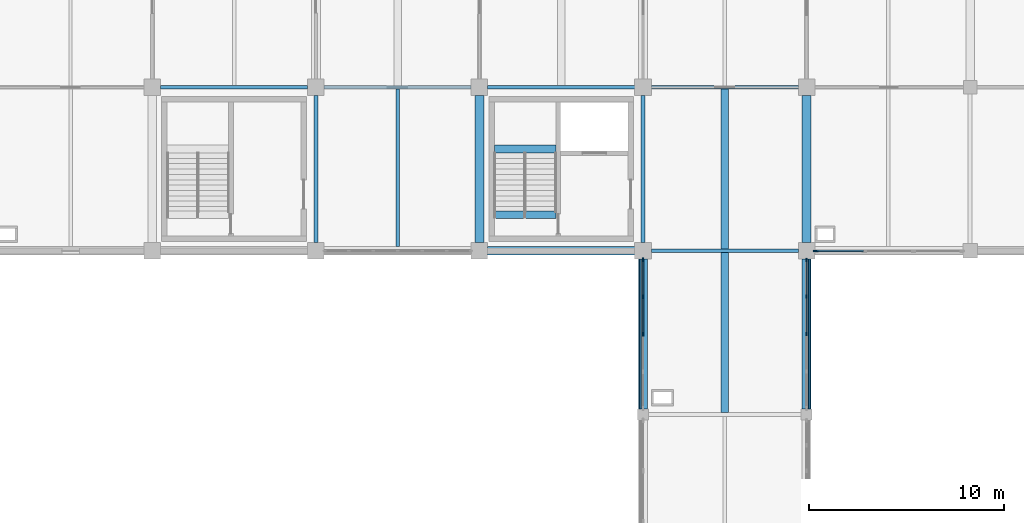
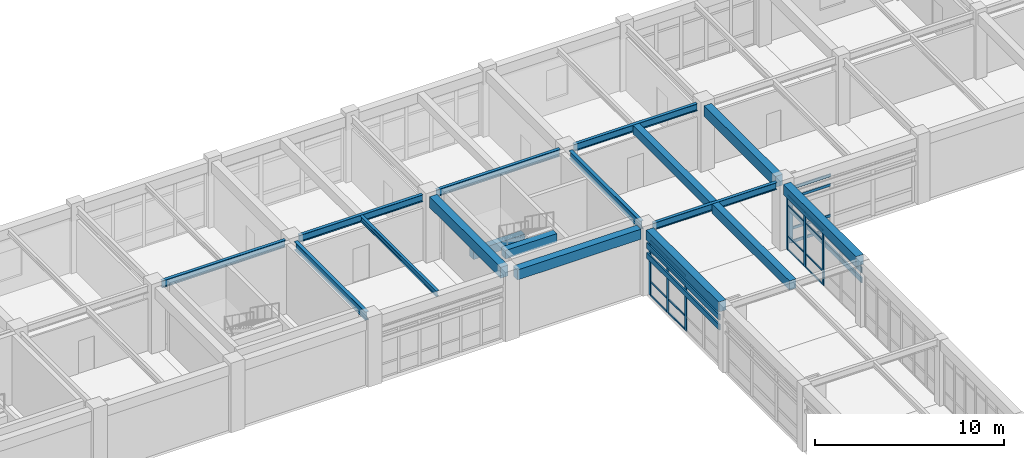
# One storey, part 28 of 78: 31 members, 17 beams, 3 elements without a shape of their own.
"""IFC4 building model written with IfcOpenShell, lengths in metres."""

from ifc_helpers import new_model, si_unit, direction, frame, origin, origin_2d, place, context, subcontext, project, spatial, rectangle, i_section, extrude, material, layer, layer_set, material_profile, profile_set, type_object, element, aggregate, save


model = new_model("IFC4")

# Units and contexts
model_context = context("Model", 3, precision=1e-05, world=origin(), true_north=direction((0.0, 1.0)))
body_context = subcontext(model_context, "Body", "Model", "MODEL_VIEW")
ifc_project = project(units=[si_unit("LENGTHUNIT", "METRE"), si_unit("AREAUNIT", "SQUARE_METRE"), si_unit("VOLUMEUNIT", "CUBIC_METRE"), si_unit("PLANEANGLEUNIT", "RADIAN"), si_unit("MASSUNIT", "GRAM", prefix="KILO")], contexts=[model_context])

# Site, building, storey
site_placement = place(None, origin())
site = spatial("IfcSite", under=ifc_project, at=site_placement, CompositionType="ELEMENT")
building_placement = place(site_placement, origin())
building = spatial("IfcBuilding", under=site, at=building_placement, Name="Porcellanite Civic Hall", CompositionType="ELEMENT")
storey_placement = place(building_placement, frame((0.0, 0.0, 10.260009765625)))
storey = spatial("IfcBuildingStorey", under=building, at=storey_placement, Name="L02", CompositionType="ELEMENT", Elevation=10.260009765625)

# Beams
ifc_material_1 = material(Name="Concrete N50 (50 MPa)", Category="concrete")
ifc_material_profile_1 = material_profile(ifc_material_1, rectangle(XDim=0.39990234375, YDim=0.550048828125, at=origin_2d()), Name="RC-400x550")
ifc_profile_set_1 = profile_set([ifc_material_profile_1], Name="Concrete N50 (50 MPa)")
beam_type_1 = type_object("IfcBeamType", Name="BM-RC550", PredefinedType="JOIST", material=ifc_profile_set_1)
beam_1_placement = place(storey_placement, frame((121.800048828125, 100.89453125, 3.965087890625), z_axis=(0.0, 1.0, 0.0), x_axis=(-1.0, 0.0, 0.0)))
element("IfcBeam", 1, at=beam_1_placement, inside=storey, type_object=beam_type_1, Name="Secondary joist L02 15-13", PredefinedType="JOIST", context=body_context, shape_type="SweptSolid", body=[
    extrude(rectangle(XDim=0.39990234375, YDim=0.550048828125, at=origin_2d()), origin(), (0.0, 0.0, 1.0), 8.2109375),
])
for number, where, z_axis, x_axis, name in (
    (2, (109.96044921875, 106.02490234375, 1.885009765625), (1.0, 0.0, 0.0), (0.0, 1.0, 0.0), "Stair landing beam C4 L02"),
    (3, (109.96044921875, 102.64990234375, 3.965087890625), (1.0, 0.0, 0.0), (0.0, 1.0, 0.0), "Stair header beam C4 L02"),
):
    element("IfcBeam", number, at=place(storey_placement, frame(where, z_axis=z_axis, x_axis=x_axis)), inside=storey, type_object=beam_type_1, Name=name, PredefinedType="JOIST", context=body_context, shape_type="SweptSolid", body=[
        extrude(rectangle(XDim=0.39990234375, YDim=0.550048828125, at=origin_2d()), origin(), (0.0, 0.0, 1.0), 3.158935546875),
    ])
ifc_material_2 = material(Name="Concrete N50 (50 MPa)", Category="concrete")
ifc_material_profile_2 = material_profile(ifc_material_2, rectangle(XDim=0.39990234375, YDim=0.60009765625, at=origin_2d()), Name="RC-400x600")
ifc_profile_set_2 = profile_set([ifc_material_profile_2], Name="Concrete N50 (50 MPa)")
beam_type_2 = type_object("IfcBeamType", Name="BM-RC600", PredefinedType="JOIST", material=ifc_profile_set_2)
beam_2_placement = place(storey_placement, frame((121.800048828125, 92.494384765625, 3.93994140625), z_axis=(0.0, 1.0, 0.0), x_axis=(-1.0, 0.0, 0.0)))
element("IfcBeam", 4, at=beam_2_placement, inside=storey, type_object=beam_type_2, Name="Secondary joist L02 15-12", PredefinedType="JOIST", context=body_context, shape_type="SweptSolid", body=[
    extrude(rectangle(XDim=0.39990234375, YDim=0.60009765625, at=origin_2d()), origin(), (0.0, 0.0, 1.0), 8.211181640625),
])
ifc_material_3 = material(Name="Concrete N50 (50 MPa)", Category="concrete")
ifc_material_profile_3 = material_profile(ifc_material_3, rectangle(XDim=0.449951171875, YDim=0.64990234375, at=origin_2d()), Name="RC-450x650")
ifc_profile_set_3 = profile_set([ifc_material_profile_3], Name="Concrete N50 (50 MPa)")
beam_type_3 = type_object("IfcBeamType", Name="BM-RC650", PredefinedType="SPANDREL", material=ifc_profile_set_3)
beam_3_placement = place(storey_placement, frame((109.62451171875, 100.800048828125, 3.9150390625), z_axis=(1.0, 0.0, 0.0), x_axis=(0.0, 1.0, 0.0)))
element("IfcBeam", 5, at=beam_3_placement, inside=storey, type_object=beam_type_3, Name="Beam X L02 14-13", PredefinedType="SPANDREL", context=body_context, shape_type="SweptSolid", body=[
    extrude(rectangle(XDim=0.449951171875, YDim=0.64990234375, at=origin_2d()), origin(), (0.0, 0.0, 1.0), 7.551025390625),
])
for number, where, z_axis, x_axis, name in (
    (6, (117.60009765625, 92.674560546875, 3.9150390625), (0.0, 1.0, 0.0), (-1.0, 0.0, 0.0), "Beam Y L02 15-12"),
    (7, (126.0, 92.674560546875, 3.9150390625), (0.0, 1.0, 0.0), (-1.0, 0.0, 0.0), "Beam Y L02 16-12"),
):
    element("IfcBeam", number, at=place(storey_placement, frame(where, z_axis=z_axis, x_axis=x_axis)), inside=storey, type_object=beam_type_3, Name=name, PredefinedType="SPANDREL", context=body_context, shape_type="SweptSolid", body=[
        extrude(rectangle(XDim=0.449951171875, YDim=0.64990234375, at=origin_2d()), origin(), (0.0, 0.0, 1.0), 7.700927734375),
    ])
ifc_material_4 = material(Name="Concrete N50 (50 MPa)", Category="concrete")
ifc_material_profile_4 = material_profile(ifc_material_4, rectangle(XDim=0.449951171875, YDim=0.699951171875, at=origin_2d()), Name="RC-450x700")
ifc_profile_set_4 = profile_set([ifc_material_profile_4], Name="Concrete N50 (50 MPa)")
beam_type_4 = type_object("IfcBeamType", Name="BM-RC700", PredefinedType="BEAM", material=ifc_profile_set_4)
for number, where, z_axis, x_axis, name in (
    (8, (109.199951171875, 101.224609375, 3.889892578125), (0.0, 1.0, 0.0), (-1.0, 0.0, 0.0), "Beam Y L02 14-13"),
    (9, (126.0, 101.224609375, 3.889892578125), (0.0, 1.0, 0.0), (-1.0, 0.0, 0.0), "Beam Y L02 16-13"),
):
    element("IfcBeam", number, at=place(storey_placement, frame(where, z_axis=z_axis, x_axis=x_axis)), inside=storey, type_object=beam_type_4, Name=name, PredefinedType="BEAM", context=body_context, shape_type="SweptSolid", body=[
        extrude(rectangle(XDim=0.449951171875, YDim=0.699951171875, at=origin_2d()), origin(), (0.0, 0.0, 1.0), 7.55078125),
    ])

# Curtain wall, member
ifc_material_5 = material(Name="Anodised aluminium and solar laminated glass", Category="aluminium")
ifc_layer_1 = layer(ifc_material_5, 0.179931640625)
ifc_layer_set_1 = layer_set([ifc_layer_1], Name="Anodised aluminium and solar laminated glass")
curtain_wall_type_1 = type_object("IfcCurtainWallType", Name="CW-SYS08", PredefinedType="NOTDEFINED", material=ifc_layer_set_1)
curtain_wall_1_placement = place(storey_placement, origin())
curtain_wall_1 = element("IfcCurtainWall", 10, at=curtain_wall_1_placement, inside=storey, type_object=curtain_wall_type_1, Name="Curtain wall CW-172", PredefinedType="NOTDEFINED")
ifc_material_6 = material(Name="Anodised aluminium 6063-T6", Category="aluminium")
ifc_material_profile_5 = material_profile(ifc_material_6, rectangle(XDim=0.080078125, YDim=0.239990234375, at=origin_2d()), Name="AL-80x240")
ifc_profile_set_5 = profile_set([ifc_material_profile_5], Name="Anodised aluminium 6063-T6")
member_type_1 = type_object("IfcMemberType", Name="CWM-01", PredefinedType="MULLION", material=ifc_profile_set_5)
member_1_placement = place(storey_placement, frame((126.466064453125, 100.800048828125, 0.0), z_axis=(0.0, 0.0, 1.0), x_axis=(0.0, -1.0, 0.0)))
member_1 = element("IfcMember", 11, at=member_1_placement, type_object=member_type_1, Name="CW-172 mullion 4", PredefinedType="MULLION", context=body_context, shape_type="SweptSolid", body=[
    extrude(rectangle(XDim=0.080078125, YDim=0.239990234375, at=origin_2d()), origin(), (0.0, 0.0, 1.0), 3.5400390625),
])

# Curtain wall, members
ifc_material_7 = material(Name="Anodised aluminium and solar laminated glass", Category="aluminium")
ifc_layer_2 = layer(ifc_material_7, 0.179931640625)
ifc_layer_set_2 = layer_set([ifc_layer_2], Name="Anodised aluminium and solar laminated glass")
curtain_wall_type_2 = type_object("IfcCurtainWallType", Name="CW-SYS03", PredefinedType="NOTDEFINED", material=ifc_layer_set_2)
curtain_wall_2_placement = place(storey_placement, origin())
curtain_wall_2 = element("IfcCurtainWall", 12, at=curtain_wall_2_placement, inside=storey, type_object=curtain_wall_type_2, Name="Curtain wall CW-168", PredefinedType="NOTDEFINED")
ifc_material_8 = material(Name="Anodised aluminium 6063-T6", Category="aluminium")
ifc_material_profile_6 = material_profile(ifc_material_8, rectangle(XDim=0.080078125, YDim=0.2099609375, at=origin_2d()), Name="AL-80x210")
ifc_profile_set_6 = profile_set([ifc_material_profile_6], Name="Anodised aluminium 6063-T6")
member_type_2 = type_object("IfcMemberType", Name="CWM-02", PredefinedType="MULLION", material=ifc_profile_set_6)
member_2_placement = place(storey_placement, frame((117.60009765625, 96.52490234375, 0.0), z_axis=(0.0, 0.0, 1.0), x_axis=(-1.0, 0.0, 0.0)))
member_2 = element("IfcMember", 13, at=member_2_placement, type_object=member_type_2, Name="CW-168 mullion 3", PredefinedType="MULLION", context=body_context, shape_type="SweptSolid", body=[
    extrude(rectangle(XDim=0.080078125, YDim=0.2099609375, at=origin_2d()), origin(), (0.0, 0.0, 1.0), 3.5400390625),
])
member_3_placement = place(storey_placement, frame((117.60009765625, 98.449462890625, 0.0), z_axis=(0.0, 0.0, 1.0), x_axis=(-1.0, 0.0, 0.0)))
member_3 = element("IfcMember", 14, at=member_3_placement, type_object=member_type_2, Name="CW-168 mullion 4", PredefinedType="MULLION", context=body_context, shape_type="SweptSolid", body=[
    extrude(rectangle(XDim=0.080078125, YDim=0.2099609375, at=origin_2d()), origin(), (0.0, 0.0, 1.0), 3.5400390625),
])
member_4_placement = place(storey_placement, frame((117.60009765625, 100.333984375, 0.0), z_axis=(0.0, 0.0, 1.0), x_axis=(-1.0, 0.0, 0.0)))
member_4 = element("IfcMember", 15, at=member_4_placement, type_object=member_type_2, Name="CW-168 mullion 5", PredefinedType="MULLION", context=body_context, shape_type="SweptSolid", body=[
    extrude(rectangle(XDim=0.080078125, YDim=0.2099609375, at=origin_2d()), origin(), (0.0, 0.0, 1.0), 3.5400390625),
])

ifc_material_9 = material(Name="Anodised aluminium and solar laminated glass", Category="aluminium")
ifc_layer_3 = layer(ifc_material_9, 0.179931640625)
ifc_layer_set_3 = layer_set([ifc_layer_3], Name="Anodised aluminium and solar laminated glass")
curtain_wall_type_3 = type_object("IfcCurtainWallType", Name="CW-SYS04", PredefinedType="NOTDEFINED", material=ifc_layer_set_3)
curtain_wall_3_placement = place(storey_placement, origin())
curtain_wall_3 = element("IfcCurtainWall", 16, at=curtain_wall_3_placement, inside=storey, type_object=curtain_wall_type_3, Name="Curtain wall CW-169", PredefinedType="NOTDEFINED")
ifc_material_10 = material(Name="Anodised aluminium 6063-T6", Category="aluminium")
ifc_material_profile_7 = material_profile(ifc_material_10, rectangle(XDim=0.074951171875, YDim=0.18994140625, at=origin_2d()), Name="AL-75x190")
ifc_profile_set_7 = profile_set([ifc_material_profile_7], Name="Anodised aluminium 6063-T6")
member_type_3 = type_object("IfcMemberType", Name="CWM-04", PredefinedType="MULLION", material=ifc_profile_set_7)
member_5_placement = place(storey_placement, frame((126.0, 100.33642578125, 0.0), z_axis=(0.0, 0.0, 1.0), x_axis=(1.0, 0.0, 0.0)))
member_5 = element("IfcMember", 17, at=member_5_placement, type_object=member_type_3, Name="CW-169 mullion 1", PredefinedType="MULLION", context=body_context, shape_type="SweptSolid", body=[
    extrude(rectangle(XDim=0.074951171875, YDim=0.18994140625, at=origin_2d()), origin(), (0.0, 0.0, 1.0), 3.5400390625),
])
member_6_placement = place(storey_placement, frame((126.0, 98.449462890625, 0.0), z_axis=(0.0, 0.0, 1.0), x_axis=(1.0, 0.0, 0.0)))
member_6 = element("IfcMember", 18, at=member_6_placement, type_object=member_type_3, Name="CW-169 mullion 2", PredefinedType="MULLION", context=body_context, shape_type="SweptSolid", body=[
    extrude(rectangle(XDim=0.074951171875, YDim=0.18994140625, at=origin_2d()), origin(), (0.0, 0.0, 1.0), 3.5400390625),
])
member_7_placement = place(storey_placement, frame((126.0, 96.52490234375, 0.0), z_axis=(0.0, 0.0, 1.0), x_axis=(1.0, 0.0, 0.0)))
member_7 = element("IfcMember", 19, at=member_7_placement, type_object=member_type_3, Name="CW-169 mullion 3", PredefinedType="MULLION", context=body_context, shape_type="SweptSolid", body=[
    extrude(rectangle(XDim=0.074951171875, YDim=0.18994140625, at=origin_2d()), origin(), (0.0, 0.0, 1.0), 3.5400390625),
])

# Member
ifc_material_11 = material(Name="Anodised aluminium 6063-T6", Category="aluminium")
ifc_material_profile_8 = material_profile(ifc_material_11, rectangle(XDim=0.070068359375, YDim=0.175048828125, at=origin_2d()), Name="AL-70x175")
ifc_profile_set_8 = profile_set([ifc_material_profile_8], Name="Anodised aluminium 6063-T6")
member_type_4 = type_object("IfcMemberType", Name="CWT-01", PredefinedType="USERDEFINED", material=ifc_profile_set_8)
member_8_placement = place(storey_placement, frame((128.918701171875, 100.800048828125, 0.034912109375), z_axis=(-1.0, 0.0, 0.0), x_axis=(0.0, -1.0, 0.0)))
member_8 = element("IfcMember", 20, at=member_8_placement, type_object=member_type_4, Name="CW-172 transom 3.1", ObjectType="TRANSOM", PredefinedType="USERDEFINED", context=body_context, shape_type="SweptSolid", body=[
    extrude(rectangle(XDim=0.070068359375, YDim=0.175048828125, at=origin_2d()), origin(), (0.0, 0.0, 1.0), 2.41259765625),
])

member_9_placement = place(storey_placement, frame((128.918701171875, 100.800048828125, 0.89990234375), z_axis=(-1.0, 0.0, 0.0), x_axis=(0.0, -1.0, 0.0)))
member_9 = element("IfcMember", 21, at=member_9_placement, type_object=member_type_4, Name="CW-172 transom 3.2", ObjectType="TRANSOM", PredefinedType="USERDEFINED", context=body_context, shape_type="SweptSolid", body=[
    extrude(rectangle(XDim=0.070068359375, YDim=0.175048828125, at=origin_2d()), origin(), (0.0, 0.0, 1.0), 2.41259765625),
])

member_10_placement = place(storey_placement, frame((128.918701171875, 100.800048828125, 2.889892578125), z_axis=(-1.0, 0.0, 0.0), x_axis=(0.0, -1.0, 0.0)))
member_10 = element("IfcMember", 22, at=member_10_placement, type_object=member_type_4, Name="CW-172 transom 3.3", ObjectType="TRANSOM", PredefinedType="USERDEFINED", context=body_context, shape_type="SweptSolid", body=[
    extrude(rectangle(XDim=0.070068359375, YDim=0.175048828125, at=origin_2d()), origin(), (0.0, 0.0, 1.0), 2.41259765625),
])

member_11_placement = place(storey_placement, frame((128.918701171875, 100.800048828125, 3.5048828125), z_axis=(-1.0, 0.0, 0.0), x_axis=(0.0, -1.0, 0.0)))
member_11 = element("IfcMember", 23, at=member_11_placement, type_object=member_type_4, Name="CW-172 transom 3.4", ObjectType="TRANSOM", PredefinedType="USERDEFINED", context=body_context, shape_type="SweptSolid", body=[
    extrude(rectangle(XDim=0.070068359375, YDim=0.175048828125, at=origin_2d()), origin(), (0.0, 0.0, 1.0), 2.41259765625),
])

aggregate(curtain_wall_1, [member_1, member_8, member_9, member_10, member_11])

ifc_material_12 = material(Name="Anodised aluminium 6063-T6", Category="aluminium")
ifc_material_profile_9 = material_profile(ifc_material_12, rectangle(XDim=0.054931640625, YDim=0.1201171875, at=origin_2d()), Name="AL-55x120")
ifc_profile_set_9 = profile_set([ifc_material_profile_9], Name="Anodised aluminium 6063-T6")
member_type_5 = type_object("IfcMemberType", Name="CWT-04", PredefinedType="USERDEFINED", material=ifc_profile_set_9)
member_12_placement = place(storey_placement, frame((117.60009765625, 96.56494140625, 0.027587890625), z_axis=(0.0, 1.0, 0.0), x_axis=(-1.0, 0.0, 0.0)))
member_12 = element("IfcMember", 24, at=member_12_placement, type_object=member_type_5, Name="CW-168 transom 3.1", ObjectType="TRANSOM", PredefinedType="USERDEFINED", context=body_context, shape_type="SweptSolid", body=[
    extrude(rectangle(XDim=0.054931640625, YDim=0.1201171875, at=origin_2d()), origin(), (0.0, 0.0, 1.0), 1.844482421875),
])

member_13_placement = place(storey_placement, frame((117.60009765625, 96.56494140625, 0.89990234375), z_axis=(0.0, 1.0, 0.0), x_axis=(-1.0, 0.0, 0.0)))
member_13 = element("IfcMember", 25, at=member_13_placement, type_object=member_type_5, Name="CW-168 transom 3.2", ObjectType="TRANSOM", PredefinedType="USERDEFINED", context=body_context, shape_type="SweptSolid", body=[
    extrude(rectangle(XDim=0.054931640625, YDim=0.1201171875, at=origin_2d()), origin(), (0.0, 0.0, 1.0), 1.844482421875),
])

member_14_placement = place(storey_placement, frame((117.60009765625, 96.56494140625, 2.889892578125), z_axis=(0.0, 1.0, 0.0), x_axis=(-1.0, 0.0, 0.0)))
member_14 = element("IfcMember", 26, at=member_14_placement, type_object=member_type_5, Name="CW-168 transom 3.3", ObjectType="TRANSOM", PredefinedType="USERDEFINED", context=body_context, shape_type="SweptSolid", body=[
    extrude(rectangle(XDim=0.054931640625, YDim=0.1201171875, at=origin_2d()), origin(), (0.0, 0.0, 1.0), 1.844482421875),
])

member_15_placement = place(storey_placement, frame((117.60009765625, 96.56494140625, 3.512451171875), z_axis=(0.0, 1.0, 0.0), x_axis=(-1.0, 0.0, 0.0)))
member_15 = element("IfcMember", 27, at=member_15_placement, type_object=member_type_5, Name="CW-168 transom 3.4", ObjectType="TRANSOM", PredefinedType="USERDEFINED", context=body_context, shape_type="SweptSolid", body=[
    extrude(rectangle(XDim=0.054931640625, YDim=0.1201171875, at=origin_2d()), origin(), (0.0, 0.0, 1.0), 1.844482421875),
])

member_16_placement = place(storey_placement, frame((117.60009765625, 98.489501953125, 0.027587890625), z_axis=(0.0, 1.0, 0.0), x_axis=(-1.0, 0.0, 0.0)))
member_16 = element("IfcMember", 28, at=member_16_placement, type_object=member_type_5, Name="CW-168 transom 4.1", ObjectType="TRANSOM", PredefinedType="USERDEFINED", context=body_context, shape_type="SweptSolid", body=[
    extrude(rectangle(XDim=0.054931640625, YDim=0.1201171875, at=origin_2d()), origin(), (0.0, 0.0, 1.0), 1.804443359375),
])

member_17_placement = place(storey_placement, frame((117.60009765625, 98.489501953125, 0.89990234375), z_axis=(0.0, 1.0, 0.0), x_axis=(-1.0, 0.0, 0.0)))
member_17 = element("IfcMember", 29, at=member_17_placement, type_object=member_type_5, Name="CW-168 transom 4.2", ObjectType="TRANSOM", PredefinedType="USERDEFINED", context=body_context, shape_type="SweptSolid", body=[
    extrude(rectangle(XDim=0.054931640625, YDim=0.1201171875, at=origin_2d()), origin(), (0.0, 0.0, 1.0), 1.804443359375),
])

member_18_placement = place(storey_placement, frame((117.60009765625, 98.489501953125, 2.889892578125), z_axis=(0.0, 1.0, 0.0), x_axis=(-1.0, 0.0, 0.0)))
member_18 = element("IfcMember", 30, at=member_18_placement, type_object=member_type_5, Name="CW-168 transom 4.3", ObjectType="TRANSOM", PredefinedType="USERDEFINED", context=body_context, shape_type="SweptSolid", body=[
    extrude(rectangle(XDim=0.054931640625, YDim=0.1201171875, at=origin_2d()), origin(), (0.0, 0.0, 1.0), 1.804443359375),
])

member_19_placement = place(storey_placement, frame((117.60009765625, 98.489501953125, 3.512451171875), z_axis=(0.0, 1.0, 0.0), x_axis=(-1.0, 0.0, 0.0)))
member_19 = element("IfcMember", 31, at=member_19_placement, type_object=member_type_5, Name="CW-168 transom 4.4", ObjectType="TRANSOM", PredefinedType="USERDEFINED", context=body_context, shape_type="SweptSolid", body=[
    extrude(rectangle(XDim=0.054931640625, YDim=0.1201171875, at=origin_2d()), origin(), (0.0, 0.0, 1.0), 1.804443359375),
])

aggregate(curtain_wall_2, [member_2, member_3, member_4, member_12, member_13, member_14, member_15, member_16, member_17, member_18, member_19])

ifc_material_13 = material(Name="Anodised aluminium 6063-T6", Category="aluminium")
ifc_material_profile_10 = material_profile(ifc_material_13, rectangle(XDim=0.054931640625, YDim=0.10009765625, at=origin_2d()), Name="AL-55x100")
ifc_profile_set_10 = profile_set([ifc_material_profile_10], Name="Anodised aluminium 6063-T6")
member_type_6 = type_object("IfcMemberType", Name="CWT-05", PredefinedType="USERDEFINED", material=ifc_profile_set_10)
member_20_placement = place(storey_placement, frame((126.0, 100.299072265625, 0.027587890625), z_axis=(0.0, -1.0, 0.0), x_axis=(1.0, 0.0, 0.0)))
member_20 = element("IfcMember", 32, at=member_20_placement, type_object=member_type_6, Name="CW-169 transom 1.1", ObjectType="TRANSOM", PredefinedType="USERDEFINED", context=body_context, shape_type="SweptSolid", body=[
    extrude(rectangle(XDim=0.054931640625, YDim=0.10009765625, at=origin_2d()), origin(), (0.0, 0.0, 1.0), 1.81201171875),
])

member_21_placement = place(storey_placement, frame((126.0, 100.299072265625, 0.89990234375), z_axis=(0.0, -1.0, 0.0), x_axis=(1.0, 0.0, 0.0)))
member_21 = element("IfcMember", 33, at=member_21_placement, type_object=member_type_6, Name="CW-169 transom 1.2", ObjectType="TRANSOM", PredefinedType="USERDEFINED", context=body_context, shape_type="SweptSolid", body=[
    extrude(rectangle(XDim=0.054931640625, YDim=0.10009765625, at=origin_2d()), origin(), (0.0, 0.0, 1.0), 1.81201171875),
])

member_22_placement = place(storey_placement, frame((126.0, 100.299072265625, 2.889892578125), z_axis=(0.0, -1.0, 0.0), x_axis=(1.0, 0.0, 0.0)))
member_22 = element("IfcMember", 34, at=member_22_placement, type_object=member_type_6, Name="CW-169 transom 1.3", ObjectType="TRANSOM", PredefinedType="USERDEFINED", context=body_context, shape_type="SweptSolid", body=[
    extrude(rectangle(XDim=0.054931640625, YDim=0.10009765625, at=origin_2d()), origin(), (0.0, 0.0, 1.0), 1.81201171875),
])

member_23_placement = place(storey_placement, frame((126.0, 100.299072265625, 3.512451171875), z_axis=(0.0, -1.0, 0.0), x_axis=(1.0, 0.0, 0.0)))
member_23 = element("IfcMember", 35, at=member_23_placement, type_object=member_type_6, Name="CW-169 transom 1.4", ObjectType="TRANSOM", PredefinedType="USERDEFINED", context=body_context, shape_type="SweptSolid", body=[
    extrude(rectangle(XDim=0.054931640625, YDim=0.10009765625, at=origin_2d()), origin(), (0.0, 0.0, 1.0), 1.81201171875),
])

member_24_placement = place(storey_placement, frame((126.0, 98.412109375, 0.027587890625), z_axis=(0.0, -1.0, 0.0), x_axis=(1.0, 0.0, 0.0)))
member_24 = element("IfcMember", 36, at=member_24_placement, type_object=member_type_6, Name="CW-169 transom 2.1", ObjectType="TRANSOM", PredefinedType="USERDEFINED", context=body_context, shape_type="SweptSolid", body=[
    extrude(rectangle(XDim=0.054931640625, YDim=0.10009765625, at=origin_2d()), origin(), (0.0, 0.0, 1.0), 1.849609375),
])

member_25_placement = place(storey_placement, frame((126.0, 98.412109375, 0.89990234375), z_axis=(0.0, -1.0, 0.0), x_axis=(1.0, 0.0, 0.0)))
member_25 = element("IfcMember", 37, at=member_25_placement, type_object=member_type_6, Name="CW-169 transom 2.2", ObjectType="TRANSOM", PredefinedType="USERDEFINED", context=body_context, shape_type="SweptSolid", body=[
    extrude(rectangle(XDim=0.054931640625, YDim=0.10009765625, at=origin_2d()), origin(), (0.0, 0.0, 1.0), 1.849609375),
])

member_26_placement = place(storey_placement, frame((126.0, 98.412109375, 2.889892578125), z_axis=(0.0, -1.0, 0.0), x_axis=(1.0, 0.0, 0.0)))
member_26 = element("IfcMember", 38, at=member_26_placement, type_object=member_type_6, Name="CW-169 transom 2.3", ObjectType="TRANSOM", PredefinedType="USERDEFINED", context=body_context, shape_type="SweptSolid", body=[
    extrude(rectangle(XDim=0.054931640625, YDim=0.10009765625, at=origin_2d()), origin(), (0.0, 0.0, 1.0), 1.849609375),
])

member_27_placement = place(storey_placement, frame((126.0, 98.412109375, 3.512451171875), z_axis=(0.0, -1.0, 0.0), x_axis=(1.0, 0.0, 0.0)))
member_27 = element("IfcMember", 39, at=member_27_placement, type_object=member_type_6, Name="CW-169 transom 2.4", ObjectType="TRANSOM", PredefinedType="USERDEFINED", context=body_context, shape_type="SweptSolid", body=[
    extrude(rectangle(XDim=0.054931640625, YDim=0.10009765625, at=origin_2d()), origin(), (0.0, 0.0, 1.0), 1.849609375),
])

aggregate(curtain_wall_3, [member_5, member_6, member_7, member_20, member_21, member_22, member_23, member_24, member_25, member_26, member_27])

# Beam
ifc_material_14 = material(Name="Steel Grade 350", Category="steel")
ifc_material_profile_11 = material_profile(ifc_material_14, i_section(OverallWidth=0.1708984375, OverallDepth=0.35595703125, WebThickness=0.00732421875, FlangeThickness=0.011474609375, FilletRadius=0.011474609375, at=origin_2d()), Name="360UB50.7")
ifc_profile_set_11 = profile_set([ifc_material_profile_11], Name="Steel Grade 350")
beam_type_5 = type_object("IfcBeamType", Name="JST-360UB51", PredefinedType="JOIST", material=ifc_profile_set_11)
beam_4_placement = place(storey_placement, frame((105.0, 101.0244140625, 4.06201171875), z_axis=(0.0, 1.0, 0.0), x_axis=(-1.0, 0.0, 0.0)))
element("IfcBeam", 40, at=beam_4_placement, inside=storey, type_object=beam_type_5, Name="Secondary joist L02 13-13", PredefinedType="JOIST", context=body_context, shape_type="SweptSolid", body=[
    extrude(i_section(OverallWidth=0.1708984375, OverallDepth=0.35595703125, WebThickness=0.00732421875, FlangeThickness=0.011474609375, FilletRadius=0.011474609375, at=origin_2d()), origin(), (0.0, 0.0, 1.0), 8.0810546875),
])

# Members
ifc_material_15 = material(Name="Fluoropolymer bauxite-red aluminium 6063-T6", Category="aluminium")
ifc_material_profile_12 = material_profile(ifc_material_15, rectangle(XDim=0.090087890625, YDim=0.360107421875, at=origin_2d()), Name="AL-90x360")
ifc_profile_set_12 = profile_set([ifc_material_profile_12], Name="Fluoropolymer bauxite-red aluminium 6063-T6")
member_type_7 = type_object("IfcMemberType", Name="LV-BLD01", PredefinedType="USERDEFINED", material=ifc_profile_set_12)
for number, where, z_axis, x_axis, name in (
    (41, (117.447998046875, 92.674560546875, 3.239990234375), (0.0, 1.0, 0.0), (-1.0, 0.0, 0.0), "Cyclone sunshade louvre L02 W 14-11 1"),
    (42, (117.447998046875, 92.674560546875, 2.590087890625), (0.0, 1.0, 0.0), (-1.0, 0.0, 0.0), "Cyclone sunshade louvre L02 W 14-11 2"),
):
    element("IfcMember", number, at=place(storey_placement, frame(where, z_axis=z_axis, x_axis=x_axis)), inside=storey, type_object=member_type_7, Name=name, ObjectType="LOUVRE BLADE", PredefinedType="USERDEFINED", context=body_context, shape_type="SweptSolid", body=[
        extrude(rectangle(XDim=0.090087890625, YDim=0.360107421875, at=origin_2d()), origin(), (0.0, 0.0, 1.0), 7.700927734375),
    ])
ifc_material_16 = material(Name="Fluoropolymer bauxite-red aluminium 6063-T6", Category="aluminium")
ifc_material_profile_13 = material_profile(ifc_material_16, rectangle(XDim=0.0849609375, YDim=0.340087890625, at=origin_2d()), Name="AL-85x340")
ifc_profile_set_13 = profile_set([ifc_material_profile_13], Name="Fluoropolymer bauxite-red aluminium 6063-T6")
member_type_8 = type_object("IfcMemberType", Name="LV-BLD02", PredefinedType="USERDEFINED", material=ifc_profile_set_13)
for number, where, z_axis, x_axis, name in (
    (43, (126.139404296875, 100.37548828125, 3.239990234375), (0.0, -1.0, 0.0), (1.0, 0.0, 0.0), "Cyclone sunshade louvre L02 E 14-11 1"),
    (44, (126.139404296875, 100.37548828125, 2.590087890625), (0.0, -1.0, 0.0), (1.0, 0.0, 0.0), "Cyclone sunshade louvre L02 E 14-11 2"),
):
    element("IfcMember", number, at=place(storey_placement, frame(where, z_axis=z_axis, x_axis=x_axis)), inside=storey, type_object=member_type_8, Name=name, ObjectType="LOUVRE BLADE", PredefinedType="USERDEFINED", context=body_context, shape_type="SweptSolid", body=[
        extrude(rectangle(XDim=0.0849609375, YDim=0.340087890625, at=origin_2d()), origin(), (0.0, 0.0, 1.0), 7.700927734375),
    ])

# Beams
ifc_material_17 = material(Name="Steel Grade 350", Category="steel")
ifc_material_profile_14 = material_profile(ifc_material_17, i_section(OverallWidth=0.18994140625, OverallDepth=0.4541015625, WebThickness=0.008544921875, FlangeThickness=0.0126953125, FilletRadius=0.011474609375, at=origin_2d()), Name="460UB67.1")
ifc_profile_set_14 = profile_set([ifc_material_profile_14], Name="Steel Grade 350")
beam_type_6 = type_object("IfcBeamType", Name="RAF-460UB67", PredefinedType="BEAM", material=ifc_profile_set_14)
beam_5_placement = place(storey_placement, frame((92.824462890625, 109.199951171875, 4.012939453125), z_axis=(1.0, 0.0, 0.0), x_axis=(0.0, 1.0, 0.0)))
element("IfcBeam", 45, at=beam_5_placement, inside=storey, type_object=beam_type_6, Name="Beam X L02 12-14", PredefinedType="BEAM", context=body_context, shape_type="SweptSolid", body=[
    extrude(i_section(OverallWidth=0.18994140625, OverallDepth=0.4541015625, WebThickness=0.008544921875, FlangeThickness=0.0126953125, FilletRadius=0.011474609375, at=origin_2d()), origin(), (0.0, 0.0, 1.0), 7.551025390625),
])
beam_6_placement = place(storey_placement, frame((101.224609375, 109.199951171875, 4.012939453125), z_axis=(1.0, 0.0, 0.0), x_axis=(0.0, 1.0, 0.0)))
element("IfcBeam", 46, at=beam_6_placement, inside=storey, type_object=beam_type_6, Name="Beam X L02 13-14", PredefinedType="BEAM", context=body_context, shape_type="SweptSolid", body=[
    extrude(i_section(OverallWidth=0.18994140625, OverallDepth=0.4541015625, WebThickness=0.008544921875, FlangeThickness=0.0126953125, FilletRadius=0.011474609375, at=origin_2d()), origin(), (0.0, 0.0, 1.0), 7.55078125),
])
for number, where, z_axis, x_axis, name in (
    (47, (109.62451171875, 109.199951171875, 4.012939453125), (1.0, 0.0, 0.0), (0.0, 1.0, 0.0), "Beam X L02 14-14"),
    (48, (118.0244140625, 100.800048828125, 4.012939453125), (1.0, 0.0, 0.0), (0.0, 1.0, 0.0), "Beam X L02 15-13"),
    (49, (118.0244140625, 109.199951171875, 4.012939453125), (1.0, 0.0, 0.0), (0.0, 1.0, 0.0), "Beam X L02 15-14"),
):
    element("IfcBeam", number, at=place(storey_placement, frame(where, z_axis=z_axis, x_axis=x_axis)), inside=storey, type_object=beam_type_6, Name=name, PredefinedType="BEAM", context=body_context, shape_type="SweptSolid", body=[
        extrude(i_section(OverallWidth=0.18994140625, OverallDepth=0.4541015625, WebThickness=0.008544921875, FlangeThickness=0.0126953125, FilletRadius=0.011474609375, at=origin_2d()), origin(), (0.0, 0.0, 1.0), 7.551025390625),
    ])
ifc_material_18 = material(Name="Steel Grade 350", Category="steel")
ifc_material_profile_15 = material_profile(ifc_material_18, i_section(OverallWidth=0.208984375, OverallDepth=0.528076171875, WebThickness=0.009521484375, FlangeThickness=0.01318359375, FilletRadius=0.013916015625, at=origin_2d()), Name="530UB82.0")
ifc_profile_set_15 = profile_set([ifc_material_profile_15], Name="Steel Grade 350")
beam_type_7 = type_object("IfcBeamType", Name="RAF-530UB82", PredefinedType="BEAM", material=ifc_profile_set_15)
for number, where, z_axis, x_axis, name in (
    (50, (100.800048828125, 101.224609375, 3.97607421875), (0.0, 1.0, 0.0), (-1.0, 0.0, 0.0), "Beam Y L02 13-13"),
    (51, (117.60009765625, 101.224609375, 3.97607421875), (0.0, 1.0, 0.0), (-1.0, 0.0, 0.0), "Beam Y L02 15-13"),
):
    element("IfcBeam", number, at=place(storey_placement, frame(where, z_axis=z_axis, x_axis=x_axis)), inside=storey, type_object=beam_type_7, Name=name, PredefinedType="BEAM", context=body_context, shape_type="SweptSolid", body=[
        extrude(i_section(OverallWidth=0.208984375, OverallDepth=0.528076171875, WebThickness=0.009521484375, FlangeThickness=0.01318359375, FilletRadius=0.013916015625, at=origin_2d()), origin(), (0.0, 0.0, 1.0), 7.55078125),
    ])

save(model, "model.ifc")
